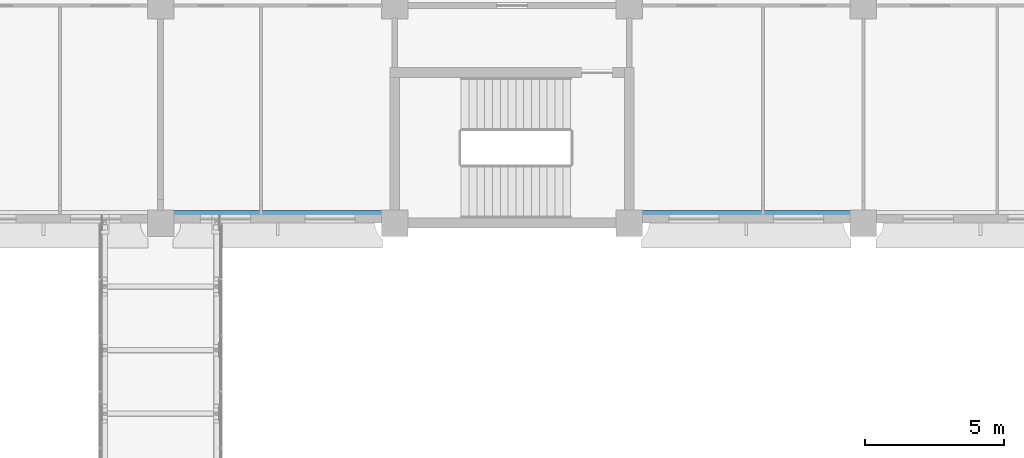
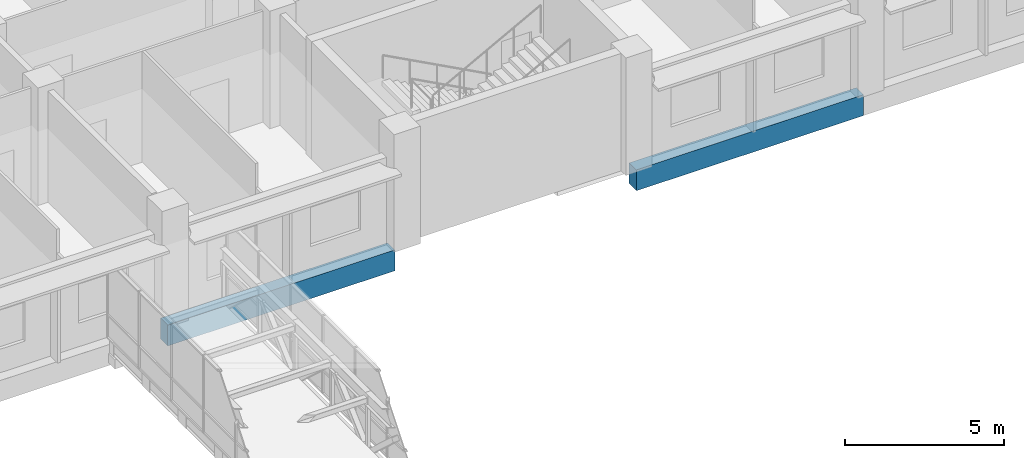
# One storey, part 27 of 136: 2 beams.
"""IFC4 building model written with IfcOpenShell, lengths in metres."""

from ifc_helpers import new_model, si_unit, direction, frame, origin, origin_2d, place, context, subcontext, project, spatial, rectangle, extrude, material, material_profile, profile_set, type_object, element, save


model = new_model("IFC4")

# Units and contexts
model_context = context("Model", 3, precision=1e-05, world=origin(), true_north=direction((0.0, 1.0)))
body_context = subcontext(model_context, "Body", "Model", "MODEL_VIEW")
ifc_project = project(units=[si_unit("LENGTHUNIT", "METRE"), si_unit("AREAUNIT", "SQUARE_METRE"), si_unit("VOLUMEUNIT", "CUBIC_METRE"), si_unit("PLANEANGLEUNIT", "RADIAN"), si_unit("MASSUNIT", "GRAM", prefix="KILO")], contexts=[model_context])

# Site, building, storey
site_placement = place(None, origin())
site = spatial("IfcSite", under=ifc_project, at=site_placement, CompositionType="ELEMENT")
building_placement = place(site_placement, origin())
building = spatial("IfcBuilding", under=site, at=building_placement, Name="Bougainvillea Quay General Hospital", CompositionType="ELEMENT")
storey_placement = place(building_placement, frame((0.0, 0.0, 5.39990234375)))
storey = spatial("IfcBuildingStorey", under=building, at=storey_placement, Name="L01", CompositionType="ELEMENT", Elevation=5.39990234375)

# Beams
ifc_material = material(Name="Concrete C40", Category="concrete")
ifc_material_profile = material_profile(ifc_material, rectangle(XDim=0.449951171875, YDim=0.800048828125, at=origin_2d()))
ifc_profile_set = profile_set([ifc_material_profile], Name="Concrete C40")
beam_type = type_object("IfcBeamType", Name="RC BEAM 450x800 C40", PredefinedType="BEAM", material=ifc_profile_set)
beam_1_placement = place(storey_placement, frame((109.199951171875, 117.824951171875, -0.699951171875), z_axis=(1.0, 0.0, 0.0), x_axis=(0.0, 1.0, 0.0)))
element("IfcBeam", 1, at=beam_1_placement, inside=storey, type_object=beam_type, Name="Edge beam L01", PredefinedType="BEAM", context=body_context, shape_type="SweptSolid", body=[
    extrude(rectangle(XDim=0.449951171875, YDim=0.800048828125, at=origin_2d()), origin(), (0.0, 0.0, 1.0), 8.22509765625),
])
beam_2_placement = place(storey_placement, frame((126.175048828125, 117.824951171875, -0.699951171875), z_axis=(1.0, 0.0, 0.0), x_axis=(0.0, 1.0, 0.0)))
element("IfcBeam", 2, at=beam_2_placement, inside=storey, type_object=beam_type, Name="Edge beam L01", PredefinedType="BEAM", context=body_context, shape_type="SweptSolid", body=[
    extrude(rectangle(XDim=0.449951171875, YDim=0.800048828125, at=origin_2d()), origin(), (0.0, 0.0, 1.0), 8.224853515625),
])

save(model, "model.ifc")
